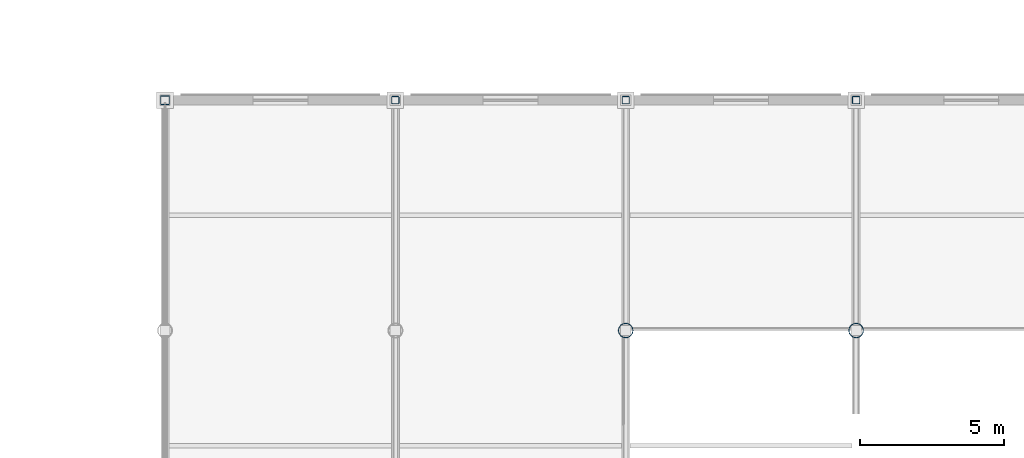
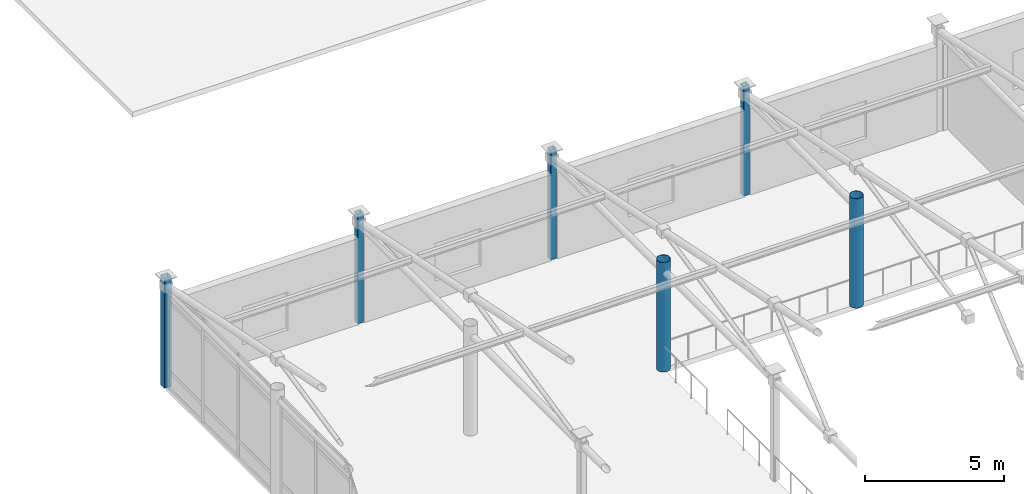
# One storey, part 3 of 117: 6 columns.
"""IFC4 building model written with IfcOpenShell, lengths in metres."""

from ifc_helpers import new_model, si_unit, direction, frame, origin, origin_2d, place, context, subcontext, project, spatial, hollow_rectangle, hollow_circle, extrude, material, material_profile, profile_set, type_object, element, save


model = new_model("IFC4")

# Units and contexts
model_context = context("Model", 3, precision=1e-05, world=origin(), true_north=direction((0.0, 1.0)))
body_context = subcontext(model_context, "Body", "Model", "MODEL_VIEW")
ifc_project = project(units=[si_unit("LENGTHUNIT", "METRE"), si_unit("AREAUNIT", "SQUARE_METRE"), si_unit("VOLUMEUNIT", "CUBIC_METRE"), si_unit("PLANEANGLEUNIT", "RADIAN"), si_unit("MASSUNIT", "GRAM", prefix="KILO")], contexts=[model_context])

# Site, building, storey
site_placement = place(None, origin())
site = spatial("IfcSite", under=ifc_project, at=site_placement, CompositionType="ELEMENT")
building_placement = place(site_placement, origin())
building = spatial("IfcBuilding", under=site, at=building_placement, Name="Solmirada Galleria", CompositionType="ELEMENT")
storey_placement = place(building_placement, frame((0.0, 0.0, 5.60009765625)))
storey = spatial("IfcBuildingStorey", under=building, at=storey_placement, Name="L01", CompositionType="ELEMENT", Elevation=5.60009765625)

# Columns
ifc_material = material(Name="Steel S355 / ASTM A500 Grade C", Category="steel")
ifc_material_profile_1 = material_profile(ifc_material, hollow_circle(Radius=0.25390625, WallThickness=0.01171875, at=origin_2d()), Name="HSS20.000X0.500")
ifc_profile_set_1 = profile_set([ifc_material_profile_1], Name="Steel S355 / ASTM A500 Grade C")
column_type_1 = type_object("IfcColumnType", Name="COL-CHS20", PredefinedType="COLUMN", material=ifc_profile_set_1)
for number, where, z_axis, x_axis, name in (
    (1, (56.0, 32.0, 0.0), (0.0, 0.0, 1.0), (1.0, 0.0, 0.0), "Structural column L01-0161"),
    (2, (64.0, 32.0, 0.0), (0.0, 0.0, 1.0), (1.0, 0.0, 0.0), "Structural column L01-0225"),
):
    element("IfcColumn", number, at=place(storey_placement, frame(where, z_axis=z_axis, x_axis=x_axis)), inside=storey, type_object=column_type_1, Name=name, PredefinedType="COLUMN", context=body_context, shape_type="SweptSolid", body=[
        extrude(hollow_circle(Radius=0.25390625, WallThickness=0.01171875, at=origin_2d()), origin(), (0.0, 0.0, 1.0), 4.7998046875),
    ])
ifc_material_profile_2 = material_profile(ifc_material, hollow_rectangle(XDim=0.25390625, YDim=0.25390625, WallThickness=0.0087890625, InnerFilletRadius=0.0087890625, OuterFilletRadius=0.017822265625, at=origin_2d()), Name="HSS10X10X3/8")
ifc_profile_set_2 = profile_set([ifc_material_profile_2], Name="Steel S355 / ASTM A500 Grade C")
column_type_2 = type_object("IfcColumnType", Name="COL-HSS10", PredefinedType="COLUMN", material=ifc_profile_set_2)
for number, where, z_axis, x_axis, name in (
    (3, (48.0, 40.0, 0.0), (0.0, 0.0, 1.0), (1.0, 0.0, 0.0), "Structural column L01-0101"),
    (4, (56.0, 40.0, 0.0), (0.0, 0.0, 1.0), (1.0, 0.0, 0.0), "Structural column L01-0168"),
    (5, (64.0, 40.0, 0.0), (0.0, 0.0, 1.0), (1.0, 0.0, 0.0), "Structural column L01-0232"),
):
    element("IfcColumn", number, at=place(storey_placement, frame(where, z_axis=z_axis, x_axis=x_axis)), inside=storey, type_object=column_type_2, Name=name, PredefinedType="COLUMN", context=body_context, shape_type="SweptSolid", body=[
        extrude(hollow_rectangle(XDim=0.25390625, YDim=0.25390625, WallThickness=0.0087890625, InnerFilletRadius=0.0087890625, OuterFilletRadius=0.017822265625, at=origin_2d()), origin(), (0.0, 0.0, 1.0), 4.7998046875),
    ])
ifc_material_profile_3 = material_profile(ifc_material, hollow_rectangle(XDim=0.304931640625, YDim=0.304931640625, WallThickness=0.01171875, InnerFilletRadius=0.01171875, OuterFilletRadius=0.023681640625, at=origin_2d()), Name="HSS12X12X1/2")
ifc_profile_set_3 = profile_set([ifc_material_profile_3], Name="Steel S355 / ASTM A500 Grade C")
column_type_3 = type_object("IfcColumnType", Name="COL-HSS12", PredefinedType="COLUMN", material=ifc_profile_set_3)
column_placement = place(storey_placement, frame((40.0, 40.0, 0.0), z_axis=(0.0, 0.0, 1.0), x_axis=(1.0, 0.0, 0.0)))
element("IfcColumn", 6, at=column_placement, inside=storey, type_object=column_type_3, Name="Structural column L01-0038", PredefinedType="COLUMN", context=body_context, shape_type="SweptSolid", body=[
    extrude(hollow_rectangle(XDim=0.304931640625, YDim=0.304931640625, WallThickness=0.01171875, InnerFilletRadius=0.01171875, OuterFilletRadius=0.023681640625, at=origin_2d()), origin(), (0.0, 0.0, 1.0), 4.7998046875),
])

save(model, "model.ifc")
